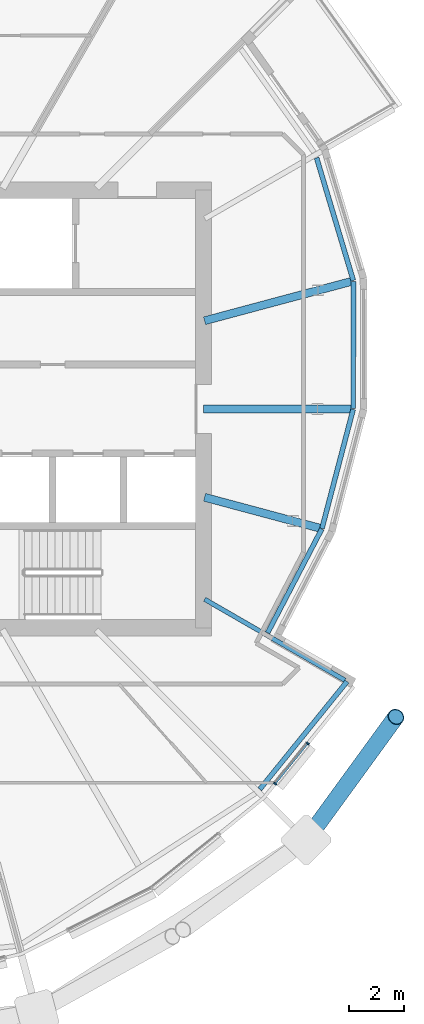
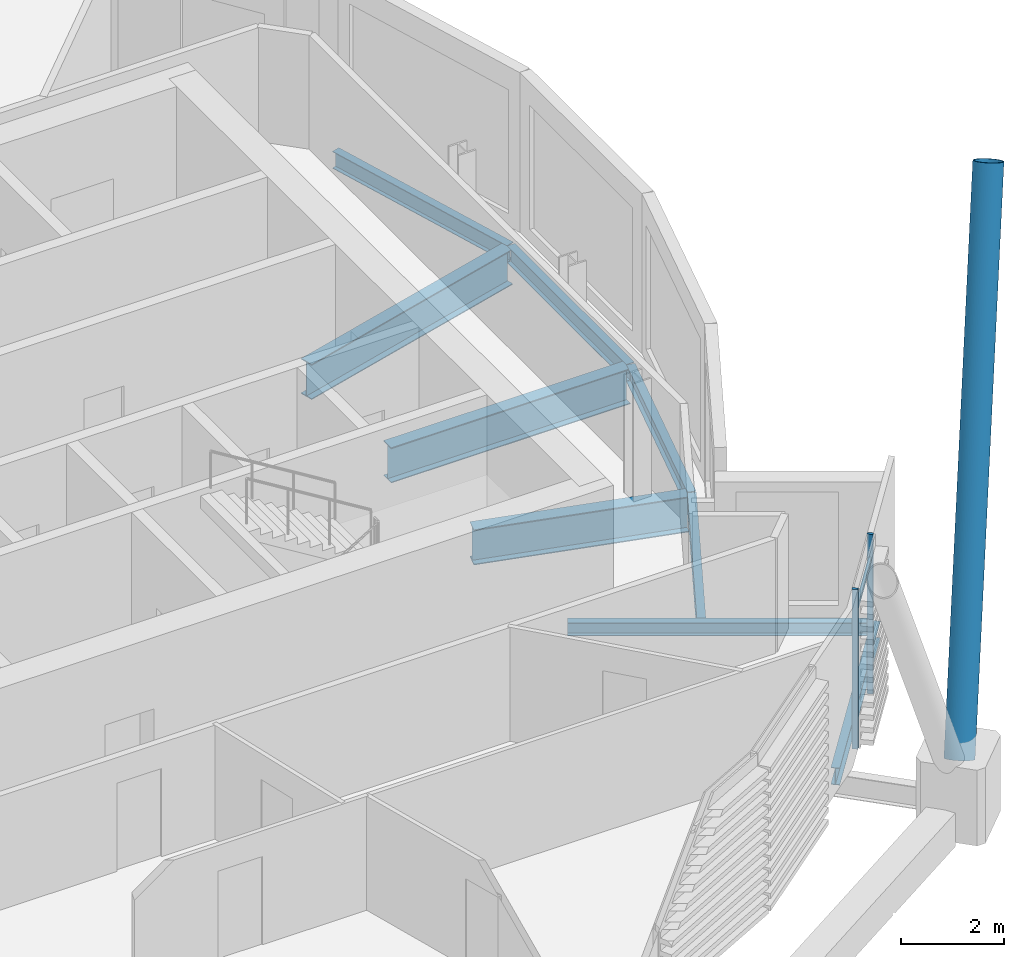
# One storey, part 17 of 38: 9 beams, 4 members, 1 element without a shape of its own.
"""IFC4 building model written with IfcOpenShell, lengths in metres."""

from ifc_helpers import new_model, si_unit, direction, frame, origin, origin_2d, place, context, subcontext, project, spatial, rectangle, hollow_circle, i_section, extrude, material, material_profile, profile_set, type_object, element, aggregate, save


model = new_model("IFC4")

# Units and contexts
model_context = context("Model", 3, precision=1e-05, world=origin(), true_north=direction((0.0, 1.0)))
body_context = subcontext(model_context, "Body", "Model", "MODEL_VIEW")
ifc_project = project(units=[si_unit("LENGTHUNIT", "METRE"), si_unit("AREAUNIT", "SQUARE_METRE"), si_unit("VOLUMEUNIT", "CUBIC_METRE"), si_unit("PLANEANGLEUNIT", "RADIAN"), si_unit("MASSUNIT", "GRAM", prefix="KILO")], contexts=[model_context])

# Site, building, storey
site_placement = place(None, origin())
site = spatial("IfcSite", under=ifc_project, at=site_placement, CompositionType="ELEMENT")
building_placement = place(site_placement, origin())
building = spatial("IfcBuilding", under=site, at=building_placement, Name="Rimbun Link Towers", CompositionType="ELEMENT")
storey_placement = place(building_placement, frame((0.0, 0.0, 158.89990234375)))
storey = spatial("IfcBuildingStorey", under=building, at=storey_placement, Name="L38", CompositionType="ELEMENT", Elevation=158.89990234375)

# Curtain wall, members
ifc_material_1 = material(Name="Aluminium 6063-T6 and low-iron glass", Category="aluminium")
curtain_wall_type = type_object("IfcCurtainWallType", Name="CW1-Z3 unitised vision wall (zone 3)", PredefinedType="NOTDEFINED", material=ifc_material_1)
curtain_wall_placement = place(storey_placement, origin())
curtain_wall = element("IfcCurtainWall", 1, at=curtain_wall_placement, inside=storey, type_object=curtain_wall_type, Name="CW1 L38 T2", PredefinedType="NOTDEFINED")
ifc_material_2 = material(Name="Aluminium 6063-T6", Category="aluminium")
ifc_material_profile_1 = material_profile(ifc_material_2, rectangle(XDim=0.1201171875, YDim=0.06005859375, at=origin_2d()), Name="MULLION 60X120")
ifc_profile_set_1 = profile_set([ifc_material_profile_1], Name="Aluminium 6063-T6")
member_type_1 = type_object("IfcMemberType", Name="CW1 mullion 60X120", PredefinedType="MULLION", material=ifc_profile_set_1)
member_1_placement = place(storey_placement, frame((47.565185546875, -12.22119140625, 0.0), z_axis=(0.0, 0.0, 1.0), x_axis=(0.777268827061, -0.629168634373, 0.0)))
member_1 = element("IfcMember", 2, at=member_1_placement, type_object=member_type_1, Name="CW1 mullion", PredefinedType="MULLION", context=body_context, shape_type="SweptSolid", body=[
    extrude(rectangle(XDim=0.1201171875, YDim=0.06005859375, at=origin_2d()), origin(), (0.0, 0.0, 1.0), 3.800048828125),
])
member_2_placement = place(storey_placement, frame((46.370361328125, -13.697265625, 0.0), z_axis=(0.0, 0.0, 1.0), x_axis=(0.777268827061, -0.629168634373, 0.0)))
member_2 = element("IfcMember", 3, at=member_2_placement, type_object=member_type_1, Name="CW1 mullion", PredefinedType="MULLION", context=body_context, shape_type="SweptSolid", body=[
    extrude(rectangle(XDim=0.1201171875, YDim=0.06005859375, at=origin_2d()), origin(), (0.0, 0.0, 1.0), 3.800048828125),
])
ifc_material_3 = material(Name="Aluminium 6063-T6", Category="aluminium")
ifc_material_profile_2 = material_profile(ifc_material_3, rectangle(XDim=0.06005859375, YDim=0.1201171875, at=origin_2d()), Name="TRANSOM 60X120")
ifc_profile_set_2 = profile_set([ifc_material_profile_2], Name="Aluminium 6063-T6")
member_type_2 = type_object("IfcMemberType", Name="CW1 transom 60X120", PredefinedType="USERDEFINED", material=ifc_profile_set_2)
member_3_placement = place(storey_placement, frame((47.544921875, -12.2431640625, 3.2001953125), z_axis=(-0.629152407562, -0.777281961748, 0.0), x_axis=(0.777281961748, -0.629152407562, 0.0)))
member_3 = element("IfcMember", 4, at=member_3_placement, type_object=member_type_2, Name="CW1 transom", ObjectType="TRANSOM", PredefinedType="USERDEFINED", context=body_context, shape_type="SweptSolid", body=[
    extrude(rectangle(XDim=0.06005859375, YDim=0.1201171875, at=origin_2d()), origin(), (0.0, 0.0, 1.0), 1.83935546875),
])
aggregate(curtain_wall, [member_1, member_2, member_3])

# Member
ifc_material_4 = material(Name="Steel S355J2H", Category="steel")
ifc_material_profile_3 = material_profile(ifc_material_4, hollow_circle(Radius=0.3046875, WallThickness=0.02490234375, at=origin_2d()), Name="Diagrid diagonal CHS 610x25")
ifc_profile_set_3 = profile_set([ifc_material_profile_3], Name="Steel S355J2H")
member_type_3 = type_object("IfcMemberType", Name="Diagrid diagonal CHS 610x25", PredefinedType="BRACE", material=ifc_profile_set_3)
member_4_placement = place(storey_placement, frame((47.63916015625, -15.572509765625, 0.44580078125), z_axis=(0.266847804455, 0.366571481514, 0.891301070457), x_axis=(-0.808473346811, 0.588532792202, 0.0)))
element("IfcMember", 5, at=member_4_placement, inside=storey, type_object=member_type_3, Name="Diagrid diagonal T2 L38-L41 18b", PredefinedType="BRACE", context=body_context, shape_type="SweptSolid", body=[
    extrude(hollow_circle(Radius=0.3046875, WallThickness=0.02490234375, at=origin_2d()), origin(), (0.0, 0.0, 1.0), 11.790283203125),
])

# Beams
ifc_material_5 = material(Name="Steel S355J2", Category="steel")
ifc_material_profile_4 = material_profile(ifc_material_5, i_section(OverallWidth=0.1650390625, OverallDepth=0.303466796875, WebThickness=0.006103515625, FlangeThickness=0.01025390625, at=origin_2d()), Name="UB 305x165x40")
ifc_profile_set_4 = profile_set([ifc_material_profile_4], Name="Steel S355J2")
beam_type_1 = type_object("IfcBeamType", Name="UB 305x165x40", PredefinedType="BEAM", material=ifc_profile_set_4)
beam_1_placement = place(storey_placement, frame((43.7919921875, -6.952392578125, -0.301513671875), z_axis=(0.86602420747, -0.500002072072, 0.0), x_axis=(0.500002072072, 0.86602420747, 0.0)))
element("IfcBeam", 6, at=beam_1_placement, inside=storey, type_object=beam_type_1, Name="Radial beam T2 L38 19", PredefinedType="BEAM", context=body_context, shape_type="SweptSolid", body=[
    extrude(i_section(OverallWidth=0.1650390625, OverallDepth=0.303466796875, WebThickness=0.006103515625, FlangeThickness=0.01025390625, at=origin_2d()), origin(), (0.0, 0.0, 1.0), 5.92041015625),
])
ifc_material_6 = material(Name="Steel S355J2", Category="steel")
ifc_material_profile_5 = material_profile(ifc_material_6, i_section(OverallWidth=0.177978515625, OverallDepth=0.406494140625, WebThickness=0.0078125, FlangeThickness=0.0126953125, at=origin_2d()), Name="UB 406x178x60")
ifc_profile_set_5 = profile_set([ifc_material_profile_5], Name="Steel S355J2")
beam_type_2 = type_object("IfcBeamType", Name="UB 406x178x60", PredefinedType="BEAM", material=ifc_profile_set_5)
beam_2_placement = place(storey_placement, frame((45.809814453125, -13.897216796875, -0.35302734375), z_axis=(0.629156643115, 0.777278533361, 0.0), x_axis=(-0.777278533361, 0.629156643115, 0.0)))
element("IfcBeam", 7, at=beam_2_placement, inside=storey, type_object=beam_type_2, Name="Edge beam T2 L38 18", PredefinedType="BEAM", context=body_context, shape_type="SweptSolid", body=[
    extrude(i_section(OverallWidth=0.177978515625, OverallDepth=0.406494140625, WebThickness=0.0078125, FlangeThickness=0.0126953125, at=origin_2d()), origin(), (0.0, 0.0, 1.0), 5.066650390625),
])
beam_3_placement = place(storey_placement, frame((46.093994140625, -8.1806640625, -0.35302734375), z_axis=(0.462320393807, 0.886712948744, 0.0), x_axis=(-0.886712948744, 0.462320393807, 0.0)))
element("IfcBeam", 8, at=beam_3_placement, inside=storey, type_object=beam_type_2, Name="Edge beam T2 L38 19 recess", PredefinedType="BEAM", context=body_context, shape_type="SweptSolid", body=[
    extrude(i_section(OverallWidth=0.177978515625, OverallDepth=0.406494140625, WebThickness=0.0078125, FlangeThickness=0.0126953125, at=origin_2d()), origin(), (0.0, 0.0, 1.0), 4.280517578125),
])
beam_4_placement = place(storey_placement, frame((48.080810546875, -4.364501953125, -0.35302734375), z_axis=(0.253347301705, 0.967375389763, 0.0), x_axis=(-0.967375389763, 0.253347301705, 0.0)))
element("IfcBeam", 9, at=beam_4_placement, inside=storey, type_object=beam_type_2, Name="Edge beam T2 L38 20 recess", PredefinedType="BEAM", context=body_context, shape_type="SweptSolid", body=[
    extrude(i_section(OverallWidth=0.177978515625, OverallDepth=0.406494140625, WebThickness=0.0078125, FlangeThickness=0.0126953125, at=origin_2d()), origin(), (0.0, 0.0, 1.0), 4.499267578125),
])
beam_5_placement = place(storey_placement, frame((49.223876953125, 0.012451171875, -0.35302734375), z_axis=(0.001205765834, 0.999999273064, 0.0), x_axis=(-0.999999273064, 0.001205765834, 0.0)))
element("IfcBeam", 10, at=beam_5_placement, inside=storey, type_object=beam_type_2, Name="Edge beam T2 L38 21 recess", PredefinedType="BEAM", context=body_context, shape_type="SweptSolid", body=[
    extrude(i_section(OverallWidth=0.177978515625, OverallDepth=0.406494140625, WebThickness=0.0078125, FlangeThickness=0.0126953125, at=origin_2d()), origin(), (0.0, 0.0, 1.0), 4.656982421875),
])
beam_6_placement = place(storey_placement, frame((49.225341796875, 4.697021484375, -0.35302734375), z_axis=(-0.286620298692, 0.958044260135, 0.0), x_axis=(-0.958044260135, -0.286620298692, 0.0)))
element("IfcBeam", 11, at=beam_6_placement, inside=storey, type_object=beam_type_2, Name="Edge beam T2 L38 22 recess", PredefinedType="BEAM", context=body_context, shape_type="SweptSolid", body=[
    extrude(i_section(OverallWidth=0.177978515625, OverallDepth=0.406494140625, WebThickness=0.0078125, FlangeThickness=0.0126953125, at=origin_2d()), origin(), (0.0, 0.0, 1.0), 4.6796875),
])
ifc_material_7 = material(Name="Steel S355J2", Category="steel")
ifc_material_profile_6 = material_profile(ifc_material_7, i_section(OverallWidth=0.29248046875, OverallDepth=0.8408203125, WebThickness=0.0126953125, FlangeThickness=0.021728515625, at=origin_2d()), Name="UB 838x292x194")
ifc_profile_set_6 = profile_set([ifc_material_profile_6], Name="Steel S355J2")
beam_type_3 = type_object("IfcBeamType", Name="UB 838x292x194", PredefinedType="BEAM", material=ifc_profile_set_6)
beam_7_placement = place(storey_placement, frame((43.788818359375, -3.225830078125, -0.5703125), z_axis=(0.965921245868, -0.258836138861, 0.0), x_axis=(0.258836138861, 0.965921245868, 0.0)))
element("IfcBeam", 12, at=beam_7_placement, inside=storey, type_object=beam_type_3, Name="Radial beam T2 L38 20", PredefinedType="BEAM", context=body_context, shape_type="SweptSolid", body=[
    extrude(i_section(OverallWidth=0.29248046875, OverallDepth=0.8408203125, WebThickness=0.0126953125, FlangeThickness=0.021728515625, at=origin_2d()), origin(), (0.0, 0.0, 1.0), 4.35009765625),
])
beam_8_placement = place(storey_placement, frame((43.7509765625, 0.0, -0.5703125), z_axis=(1.0, 0.0, 0.0), x_axis=(0.0, 1.0, 0.0)))
element("IfcBeam", 13, at=beam_8_placement, inside=storey, type_object=beam_type_3, Name="Radial beam T2 L38 21", PredefinedType="BEAM", context=body_context, shape_type="SweptSolid", body=[
    extrude(i_section(OverallWidth=0.29248046875, OverallDepth=0.8408203125, WebThickness=0.0126953125, FlangeThickness=0.021728515625, at=origin_2d()), origin(), (0.0, 0.0, 1.0), 5.38232421875),
])
beam_9_placement = place(storey_placement, frame((43.788818359375, 3.225830078125, -0.5703125), z_axis=(0.965929371755, 0.258805812882, 0.0), x_axis=(-0.258805812882, 0.965929371755, 0.0)))
element("IfcBeam", 14, at=beam_9_placement, inside=storey, type_object=beam_type_3, Name="Radial beam T2 L38 22", PredefinedType="BEAM", context=body_context, shape_type="SweptSolid", body=[
    extrude(i_section(OverallWidth=0.29248046875, OverallDepth=0.8408203125, WebThickness=0.0126953125, FlangeThickness=0.021728515625, at=origin_2d()), origin(), (0.0, 0.0, 1.0), 5.5419921875),
])

save(model, "model.ifc")
